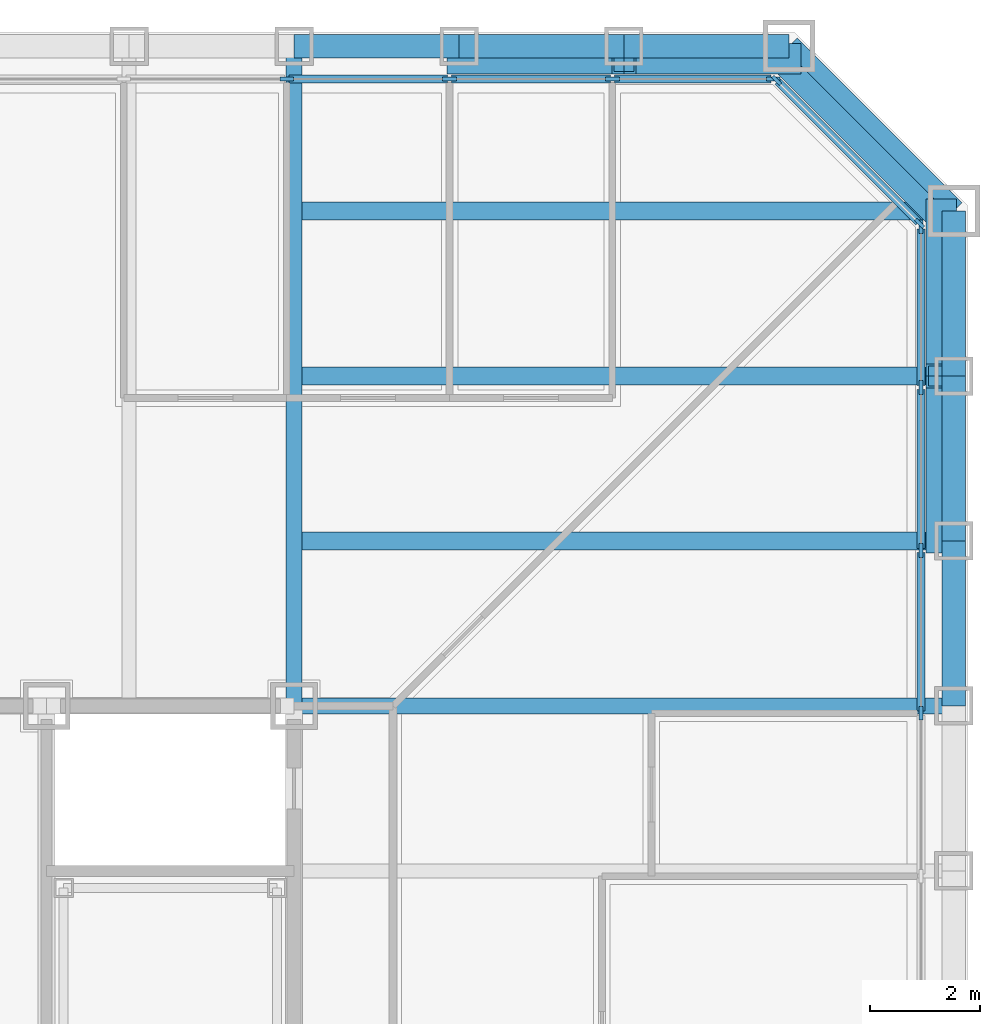
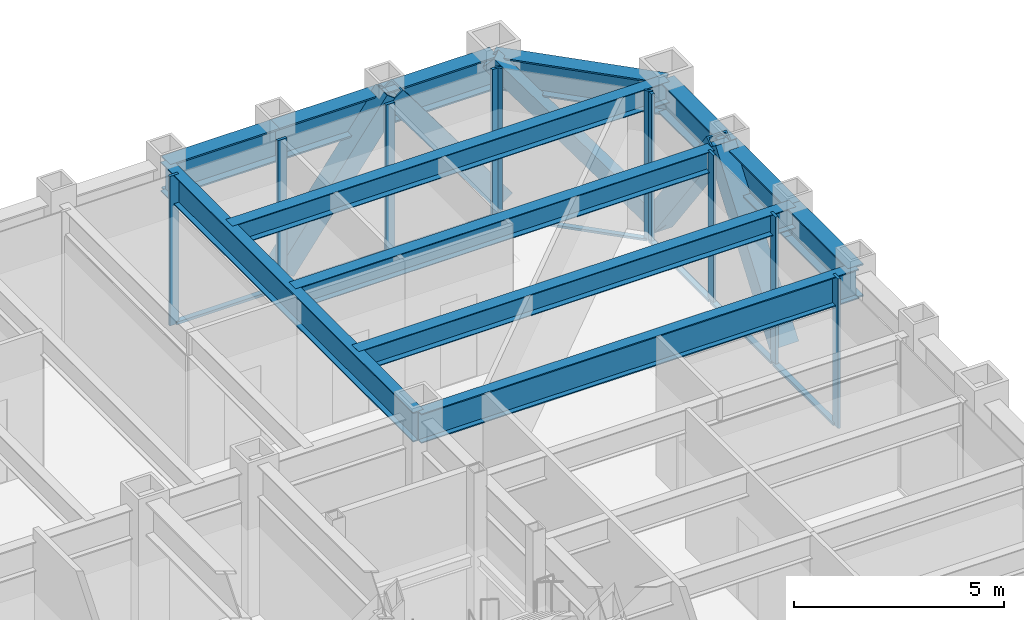
# One storey, part 6 of 17: 22 members, 12 beams, 3 elements without a shape of their own.
"""IFC4 building model written with IfcOpenShell, lengths in metres."""

from ifc_helpers import new_model, si_unit, direction, frame, origin, origin_2d, place, context, subcontext, project, spatial, rectangle, hollow_rectangle, i_section, extrude, material, layer, layer_set, material_profile, profile_set, type_object, element, aggregate, save


model = new_model("IFC4")

# Units and contexts
model_context = context("Model", 3, precision=1e-05, world=origin(), true_north=direction((0.0, 1.0)))
body_context = subcontext(model_context, "Body", "Model", "MODEL_VIEW")
ifc_project = project(units=[si_unit("LENGTHUNIT", "METRE"), si_unit("AREAUNIT", "SQUARE_METRE"), si_unit("VOLUMEUNIT", "CUBIC_METRE"), si_unit("PLANEANGLEUNIT", "RADIAN"), si_unit("MASSUNIT", "GRAM", prefix="KILO")], contexts=[model_context])

# Site, building, storey
site_placement = place(None, origin())
site = spatial("IfcSite", under=ifc_project, at=site_placement, CompositionType="ELEMENT")
building_placement = place(site_placement, origin())
building = spatial("IfcBuilding", under=site, at=building_placement, Name="Chuquiago Exchange Tower", CompositionType="ELEMENT")
storey_placement = place(building_placement, frame((0.0, 0.0, 42.300048828125)))
storey = spatial("IfcBuildingStorey", under=building, at=storey_placement, Name="L08", CompositionType="ELEMENT", Elevation=42.300048828125)

# Beams
ifc_material_1 = material(Name="Steel ASTM A992", Category="steel")
ifc_material_profile_1 = material_profile(ifc_material_1, i_section(OverallWidth=0.3251953125, OverallDepth=0.6171875, WebThickness=0.013916015625, FlangeThickness=0.021484375, at=origin_2d()), Name="W24X117")
ifc_profile_set_1 = profile_set([ifc_material_profile_1], Name="Steel ASTM A992")
beam_type_1 = type_object("IfcBeamType", Name="B5 W24X117", PredefinedType="BEAM", material=ifc_profile_set_1)
for number, where, z_axis, x_axis, name in (
    (1, (33.0, 36.0, 3.7314453125), (1.0, 0.0, 0.0), (0.0, 1.0, 0.0), "FB-L09-corner-33_36-45_36-0"),
    (2, (33.0, 39.0, 3.7314453125), (1.0, 0.0, 0.0), (0.0, 1.0, 0.0), "FB-L09-corner-33_39-45_39-0"),
    (3, (33.0, 42.0, 3.7314453125), (1.0, 0.0, 0.0), (0.0, 1.0, 0.0), "FB-L09-corner-33_42-45_42-0"),
):
    element("IfcBeam", number, at=place(storey_placement, frame(where, z_axis=z_axis, x_axis=x_axis)), inside=storey, type_object=beam_type_1, Name=name, PredefinedType="BEAM", context=body_context, shape_type="SweptSolid", body=[
        extrude(i_section(OverallWidth=0.3251953125, OverallDepth=0.6171875, WebThickness=0.013916015625, FlangeThickness=0.021484375, at=origin_2d()), origin(), (0.0, 0.0, 1.0), 12.0),
    ])

# Curtain wall, members
ifc_material_2 = material(Name="Aluminium curtain wall system", Category="aluminium")
ifc_layer_1 = layer(ifc_material_2, 0.25)
ifc_layer_set_1 = layer_set([ifc_layer_1], Name="CW1 trading floor curtain wall")
curtain_wall_type_1 = type_object("IfcCurtainWallType", Name="CW1 trading floor curtain wall", PredefinedType="NOTDEFINED", material=ifc_layer_set_1)
curtain_wall_1_placement = place(storey_placement, origin())
curtain_wall_1 = element("IfcCurtainWall", 4, at=curtain_wall_1_placement, inside=storey, type_object=curtain_wall_type_1, Name="CW1 curtain wall L08", PredefinedType="NOTDEFINED")
ifc_material_3 = material(Name="Aluminium mullion, pale anodised", Category="aluminium")
ifc_material_profile_2 = material_profile(ifc_material_3, rectangle(XDim=0.074951171875, YDim=0.25, at=origin_2d()), Name="AL 75x250")
ifc_profile_set_2 = profile_set([ifc_material_profile_2], Name="Aluminium mullion, pale anodised")
member_type_1 = type_object("IfcMemberType", Name="CW1-M mullion 75x250", PredefinedType="MULLION", material=ifc_profile_set_2)
member_1_placement = place(storey_placement, frame((44.39990234375, 32.8662109375, -0.300048828125), z_axis=(0.0, 0.0, 1.0), x_axis=(-1.0, 0.0, 0.0)))
member_1 = element("IfcMember", 5, at=member_1_placement, type_object=member_type_1, Name="CW1 mullion 11", PredefinedType="MULLION", context=body_context, shape_type="SweptSolid", body=[
    extrude(rectangle(XDim=0.074951171875, YDim=0.25, at=origin_2d()), origin(), (0.0, 0.0, 1.0), 4.340087890625),
])
member_2_placement = place(storey_placement, frame((44.39990234375, 35.827880859375, -0.300048828125), z_axis=(0.0, 0.0, 1.0), x_axis=(-1.0, 0.0, 0.0)))
member_2 = element("IfcMember", 6, at=member_2_placement, type_object=member_type_1, Name="CW1 mullion 12", PredefinedType="MULLION", context=body_context, shape_type="SweptSolid", body=[
    extrude(rectangle(XDim=0.074951171875, YDim=0.25, at=origin_2d()), origin(), (0.0, 0.0, 1.0), 4.340087890625),
])
member_3_placement = place(storey_placement, frame((44.39990234375, 38.789794921875, -0.300048828125), z_axis=(0.0, 0.0, 1.0), x_axis=(-1.0, 0.0, 0.0)))
member_3 = element("IfcMember", 7, at=member_3_placement, type_object=member_type_1, Name="CW1 mullion 13", PredefinedType="MULLION", context=body_context, shape_type="SweptSolid", body=[
    extrude(rectangle(XDim=0.074951171875, YDim=0.25, at=origin_2d()), origin(), (0.0, 0.0, 1.0), 4.340087890625),
])
member_4_placement = place(storey_placement, frame((44.39990234375, 41.714111328125, -0.300048828125), z_axis=(0.0, 0.0, 1.0), x_axis=(-1.0, 0.0, 0.0)))
member_4 = element("IfcMember", 8, at=member_4_placement, type_object=member_type_1, Name="CW1 mullion 14", PredefinedType="MULLION", context=body_context, shape_type="SweptSolid", body=[
    extrude(rectangle(XDim=0.074951171875, YDim=0.25, at=origin_2d()), origin(), (0.0, 0.0, 1.0), 4.340087890625),
])

curtain_wall_2_placement = place(storey_placement, origin())
curtain_wall_2 = element("IfcCurtainWall", 9, at=curtain_wall_2_placement, inside=storey, type_object=curtain_wall_type_1, Name="CW1 curtain wall L08", PredefinedType="NOTDEFINED")
member_5_placement = place(storey_placement, frame((41.714111328125, 44.39990234375, -0.300048828125), z_axis=(0.0, 0.0, 1.0), x_axis=(0.0, -1.0, 0.0)))
member_5 = element("IfcMember", 10, at=member_5_placement, type_object=member_type_1, Name="CW1 mullion 1", PredefinedType="MULLION", context=body_context, shape_type="SweptSolid", body=[
    extrude(rectangle(XDim=0.074951171875, YDim=0.25, at=origin_2d()), origin(), (0.0, 0.0, 1.0), 4.340087890625),
])
member_6_placement = place(storey_placement, frame((38.789794921875, 44.39990234375, -0.300048828125), z_axis=(0.0, 0.0, 1.0), x_axis=(0.0, -1.0, 0.0)))
member_6 = element("IfcMember", 11, at=member_6_placement, type_object=member_type_1, Name="CW1 mullion 2", PredefinedType="MULLION", context=body_context, shape_type="SweptSolid", body=[
    extrude(rectangle(XDim=0.074951171875, YDim=0.25, at=origin_2d()), origin(), (0.0, 0.0, 1.0), 4.340087890625),
])
member_7_placement = place(storey_placement, frame((35.827880859375, 44.39990234375, -0.300048828125), z_axis=(0.0, 0.0, 1.0), x_axis=(0.0, -1.0, 0.0)))
member_7 = element("IfcMember", 12, at=member_7_placement, type_object=member_type_1, Name="CW1 mullion 3", PredefinedType="MULLION", context=body_context, shape_type="SweptSolid", body=[
    extrude(rectangle(XDim=0.074951171875, YDim=0.25, at=origin_2d()), origin(), (0.0, 0.0, 1.0), 4.340087890625),
])
member_8_placement = place(storey_placement, frame((32.8662109375, 44.39990234375, -0.300048828125), z_axis=(0.0, 0.0, 1.0), x_axis=(0.0, -1.0, 0.0)))
member_8 = element("IfcMember", 13, at=member_8_placement, type_object=member_type_1, Name="CW1 mullion 4", PredefinedType="MULLION", context=body_context, shape_type="SweptSolid", body=[
    extrude(rectangle(XDim=0.074951171875, YDim=0.25, at=origin_2d()), origin(), (0.0, 0.0, 1.0), 4.340087890625),
])

# Member
ifc_material_4 = material(Name="Aluminium transom, pale anodised", Category="aluminium")
ifc_material_profile_3 = material_profile(ifc_material_4, rectangle(XDim=0.14990234375, YDim=0.074951171875, at=origin_2d()), Name="AL 150x75")
ifc_profile_set_3 = profile_set([ifc_material_profile_3], Name="Aluminium transom, pale anodised")
member_type_2 = type_object("IfcMemberType", Name="CW1-T transom 75x150", PredefinedType="MULLION", material=ifc_profile_set_3)
member_9_placement = place(storey_placement, frame((44.39990234375, 32.90380859375, -0.262451171875), z_axis=(0.0, 1.0, 0.0), x_axis=(-1.0, 0.0, 0.0)))
member_9 = element("IfcMember", 14, at=member_9_placement, type_object=member_type_2, Name="CW1 transom 11.1", PredefinedType="MULLION", context=body_context, shape_type="SweptSolid", body=[
    extrude(rectangle(XDim=0.14990234375, YDim=0.074951171875, at=origin_2d()), origin(), (0.0, 0.0, 1.0), 2.88671875),
])

member_10_placement = place(storey_placement, frame((44.39990234375, 35.865478515625, -0.262451171875), z_axis=(0.0, 1.0, 0.0), x_axis=(-1.0, 0.0, 0.0)))
member_10 = element("IfcMember", 15, at=member_10_placement, type_object=member_type_2, Name="CW1 transom 12.1", PredefinedType="MULLION", context=body_context, shape_type="SweptSolid", body=[
    extrude(rectangle(XDim=0.14990234375, YDim=0.074951171875, at=origin_2d()), origin(), (0.0, 0.0, 1.0), 2.88671875),
])

member_11_placement = place(storey_placement, frame((44.39990234375, 38.8271484375, -0.262451171875), z_axis=(0.0, 1.0, 0.0), x_axis=(-1.0, 0.0, 0.0)))
member_11 = element("IfcMember", 16, at=member_11_placement, type_object=member_type_2, Name="CW1 transom 13.1", PredefinedType="MULLION", context=body_context, shape_type="SweptSolid", body=[
    extrude(rectangle(XDim=0.14990234375, YDim=0.074951171875, at=origin_2d()), origin(), (0.0, 0.0, 1.0), 2.849365234375),
])

aggregate(curtain_wall_1, [member_1, member_2, member_3, member_4, member_9, member_10, member_11])

member_12_placement = place(storey_placement, frame((41.676513671875, 44.39990234375, -0.262451171875), z_axis=(-1.0, 0.0, 0.0), x_axis=(0.0, -1.0, 0.0)))
member_12 = element("IfcMember", 17, at=member_12_placement, type_object=member_type_2, Name="CW1 transom 1.1", PredefinedType="MULLION", context=body_context, shape_type="SweptSolid", body=[
    extrude(rectangle(XDim=0.14990234375, YDim=0.074951171875, at=origin_2d()), origin(), (0.0, 0.0, 1.0), 2.849365234375),
])

member_13_placement = place(storey_placement, frame((38.752197265625, 44.39990234375, -0.262451171875), z_axis=(-1.0, 0.0, 0.0), x_axis=(0.0, -1.0, 0.0)))
member_13 = element("IfcMember", 18, at=member_13_placement, type_object=member_type_2, Name="CW1 transom 2.1", PredefinedType="MULLION", context=body_context, shape_type="SweptSolid", body=[
    extrude(rectangle(XDim=0.14990234375, YDim=0.074951171875, at=origin_2d()), origin(), (0.0, 0.0, 1.0), 2.88671875),
])

member_14_placement = place(storey_placement, frame((35.79052734375, 44.39990234375, -0.262451171875), z_axis=(-1.0, 0.0, 0.0), x_axis=(0.0, -1.0, 0.0)))
member_14 = element("IfcMember", 19, at=member_14_placement, type_object=member_type_2, Name="CW1 transom 3.1", PredefinedType="MULLION", context=body_context, shape_type="SweptSolid", body=[
    extrude(rectangle(XDim=0.14990234375, YDim=0.074951171875, at=origin_2d()), origin(), (0.0, 0.0, 1.0), 2.88671875),
])

aggregate(curtain_wall_2, [member_5, member_6, member_7, member_8, member_12, member_13, member_14])

# Curtain wall, members
ifc_material_5 = material(Name="Aluminium curtain wall system", Category="aluminium")
ifc_layer_2 = layer(ifc_material_5, 0.199951171875)
ifc_layer_set_2 = layer_set([ifc_layer_2], Name="CW3 facet curtain wall")
curtain_wall_type_2 = type_object("IfcCurtainWallType", Name="CW3 facet curtain wall", PredefinedType="NOTDEFINED", material=ifc_layer_set_2)
curtain_wall_3_placement = place(storey_placement, origin())
curtain_wall_3 = element("IfcCurtainWall", 20, at=curtain_wall_3_placement, inside=storey, type_object=curtain_wall_type_2, Name="CW3 curtain wall L08", PredefinedType="NOTDEFINED")
ifc_material_6 = material(Name="Aluminium mullion, pale anodised", Category="aluminium")
ifc_material_profile_4 = material_profile(ifc_material_6, rectangle(XDim=0.06494140625, YDim=0.199951171875, at=origin_2d()), Name="AL 65x200")
ifc_profile_set_4 = profile_set([ifc_material_profile_4], Name="Aluminium mullion, pale anodised")
member_type_3 = type_object("IfcMemberType", Name="CW3-M mullion 65x200", PredefinedType="MULLION", material=ifc_profile_set_4)
member_15_placement = place(storey_placement, frame((44.376953125, 41.7744140625, -0.300048828125), z_axis=(0.0, 0.0, 1.0), x_axis=(-0.707106781187, -0.707106781187, 0.0)))
member_15 = element("IfcMember", 21, at=member_15_placement, type_object=member_type_3, Name="CW3 mullion 1", PredefinedType="MULLION", context=body_context, shape_type="SweptSolid", body=[
    extrude(rectangle(XDim=0.06494140625, YDim=0.199951171875, at=origin_2d()), origin(), (0.0, 0.0, 1.0), 4.340087890625),
])
member_16_placement = place(storey_placement, frame((41.7744140625, 44.376953125, -0.300048828125), z_axis=(0.0, 0.0, 1.0), x_axis=(-0.707106781187, -0.707106781187, 0.0)))
member_16 = element("IfcMember", 22, at=member_16_placement, type_object=member_type_3, Name="CW3 mullion 2", PredefinedType="MULLION", context=body_context, shape_type="SweptSolid", body=[
    extrude(rectangle(XDim=0.06494140625, YDim=0.199951171875, at=origin_2d()), origin(), (0.0, 0.0, 1.0), 4.340087890625),
])
ifc_material_7 = material(Name="Aluminium transom, pale anodised", Category="aluminium")
ifc_material_profile_5 = material_profile(ifc_material_7, rectangle(XDim=0.139892578125, YDim=0.06494140625, at=origin_2d()), Name="AL 140x65")
ifc_profile_set_5 = profile_set([ifc_material_profile_5], Name="Aluminium transom, pale anodised")
member_type_4 = type_object("IfcMemberType", Name="CW3-T transom 65x140", PredefinedType="MULLION", material=ifc_profile_set_5)
member_17_placement = place(storey_placement, frame((44.35400390625, 41.79736328125, -0.267578125), z_axis=(-0.707106781187, 0.707106781187, 0.0), x_axis=(-0.707106781187, -0.707106781187, 0.0)))
member_17 = element("IfcMember", 23, at=member_17_placement, type_object=member_type_4, Name="CW3 transom 1.1", PredefinedType="MULLION", context=body_context, shape_type="SweptSolid", body=[
    extrude(rectangle(XDim=0.139892578125, YDim=0.06494140625, at=origin_2d()), origin(), (0.0, 0.0, 1.0), 3.61572265625),
])
aggregate(curtain_wall_3, [member_15, member_16, member_17])

# Beams
ifc_material_8 = material(Name="Steel ASTM A992", Category="steel")
ifc_material_profile_6 = material_profile(ifc_material_8, i_section(OverallWidth=0.2919921875, OverallDepth=0.8583984375, WebThickness=0.01708984375, FlangeThickness=0.031005859375, at=origin_2d()), Name="W33X169")
ifc_profile_set_6 = profile_set([ifc_material_profile_6], Name="Steel ASTM A992")
beam_type_2 = type_object("IfcBeamType", Name="G2 W33X169", PredefinedType="BEAM", material=ifc_profile_set_6)
for number, where, z_axis, x_axis, name in (
    (24, (33.0, 33.0, 3.610595703125), (0.0, 1.0, 0.0), (-1.0, 0.0, 0.0), "FB-L09-girder-33_33-33_45-0"),
    (25, (33.0, 33.0, 3.610595703125), (1.0, 0.0, 0.0), (0.0, 1.0, 0.0), "FB-L09-girder-33_33-45_33-0"),
):
    element("IfcBeam", number, at=place(storey_placement, frame(where, z_axis=z_axis, x_axis=x_axis)), inside=storey, type_object=beam_type_2, Name=name, PredefinedType="BEAM", context=body_context, shape_type="SweptSolid", body=[
        extrude(i_section(OverallWidth=0.2919921875, OverallDepth=0.8583984375, WebThickness=0.01708984375, FlangeThickness=0.031005859375, at=origin_2d()), origin(), (0.0, 0.0, 1.0), 12.0),
    ])

# Members
ifc_material_9 = material(Name="Steel ASTM A500 Grade C", Category="steel")
ifc_material_profile_7 = material_profile(ifc_material_9, hollow_rectangle(XDim=0.406494140625, YDim=0.406494140625, WallThickness=0.0146484375, at=origin_2d()), Name="HSS16X16X5/8")
ifc_profile_set_7 = profile_set([ifc_material_profile_7], Name="Steel ASTM A500 Grade C")
member_type_5 = type_object("IfcMemberType", Name="LB4 HSS16X16X5/8", PredefinedType="BRACE", material=ifc_profile_set_7)
member_18_placement = place(storey_placement, frame((44.78662109375, 41.78662109375, 0.0), z_axis=(-0.512077265487, 0.512077265487, 0.689604051861), x_axis=(-0.707106781187, -0.707106781187, 0.0)))
element("IfcMember", 26, at=member_18_placement, inside=storey, type_object=member_type_5, Name="LB-L08-45_42-42_45", PredefinedType="BRACE", context=body_context, shape_type="SweptSolid", body=[
    extrude(hollow_rectangle(XDim=0.406494140625, YDim=0.406494140625, WallThickness=0.0146484375, at=origin_2d()), origin(), (0.0, 0.0, 1.0), 5.8583984375),
])
ifc_material_10 = material(Name="Steel ASTM A572 Grade 50", Category="steel")
ifc_material_profile_8 = material_profile(ifc_material_10, hollow_rectangle(XDim=0.550048828125, YDim=0.550048828125, WallThickness=0.044921875, at=origin_2d()), Name="BOX550X550X45")
ifc_profile_set_8 = profile_set([ifc_material_profile_8], Name="Steel ASTM A572 Grade 50")
member_type_6 = type_object("IfcMemberType", Name="MB1 BOX550X550X45", PredefinedType="BRACE", material=ifc_profile_set_8)
for number, where, z_axis, x_axis, name in (
    (27, (44.77001953125, 36.0, 0.0), (0.0, 0.596173923302, 0.802855312728), (-1.0, 0.0, 0.0), "Mega diagonal L08 E face"),
    (28, (44.77001953125, 42.0, 0.0), (0.0, -0.596173923302, 0.802855312728), (1.0, 0.0, 0.0), "Mega diagonal L08 E face"),
    (29, (42.0, 44.77001953125, 0.0), (-0.596173923302, 0.0, 0.802855312728), (0.0, -1.0, 0.0), "Mega diagonal L08 N face"),
    (30, (36.0, 44.77001953125, 0.0), (0.596173923302, 0.0, 0.802855312728), (0.0, 1.0, 0.0), "Mega diagonal L08 N face"),
):
    element("IfcMember", number, at=place(storey_placement, frame(where, z_axis=z_axis, x_axis=x_axis)), inside=storey, type_object=member_type_6, Name=name, PredefinedType="BRACE", context=body_context, shape_type="SweptSolid", body=[
        extrude(hollow_rectangle(XDim=0.550048828125, YDim=0.550048828125, WallThickness=0.044921875, at=origin_2d()), origin(), (0.0, 0.0, 1.0), 5.031982421875),
    ])

# Beams
ifc_material_11 = material(Name="Steel ASTM A992", Category="steel")
ifc_material_profile_9 = material_profile(ifc_material_11, i_section(OverallWidth=0.424072265625, OverallDepth=0.947509765625, WebThickness=0.02392578125, FlangeThickness=0.042724609375, at=origin_2d()), Name="W36X302")
ifc_profile_set_9 = profile_set([ifc_material_profile_9], Name="Steel ASTM A992")
beam_type_3 = type_object("IfcBeamType", Name="SP1 W36X302", PredefinedType="SPANDREL", material=ifc_profile_set_9)
for number, where, z_axis, x_axis, name in (
    (31, (45.0, 33.0, 3.566162109375), (0.0, 1.0, 0.0), (-1.0, 0.0, 0.0), "SPB-L09-45_33-45_36"),
    (32, (45.0, 36.0, 3.566162109375), (0.0, 1.0, 0.0), (-1.0, 0.0, 0.0), "SPB-L09-45_36-45_39"),
    (33, (45.0, 39.0, 3.566162109375), (0.0, 1.0, 0.0), (-1.0, 0.0, 0.0), "SPB-L09-45_39-45_42"),
):
    element("IfcBeam", number, at=place(storey_placement, frame(where, z_axis=z_axis, x_axis=x_axis)), inside=storey, type_object=beam_type_3, Name=name, PredefinedType="SPANDREL", context=body_context, shape_type="SweptSolid", body=[
        extrude(i_section(OverallWidth=0.424072265625, OverallDepth=0.947509765625, WebThickness=0.02392578125, FlangeThickness=0.042724609375, at=origin_2d()), origin(), (0.0, 0.0, 1.0), 3.0),
    ])
beam_placement = place(storey_placement, frame((45.0, 42.0, 3.566162109375), z_axis=(-0.707106781187, 0.707106781187, 0.0), x_axis=(-0.707106781187, -0.707106781187, 0.0)))
element("IfcBeam", 34, at=beam_placement, inside=storey, type_object=beam_type_3, Name="SPB-L09-45_42-42_45", PredefinedType="SPANDREL", context=body_context, shape_type="SweptSolid", body=[
    extrude(i_section(OverallWidth=0.424072265625, OverallDepth=0.947509765625, WebThickness=0.02392578125, FlangeThickness=0.042724609375, at=origin_2d()), origin(), (0.0, 0.0, 1.0), 4.24267578125),
])
for number, where, z_axis, x_axis, name in (
    (35, (42.0, 45.0, 3.566162109375), (-1.0, 0.0, 0.0), (0.0, -1.0, 0.0), "SPB-L09-42_45-39_45"),
    (36, (39.0, 45.0, 3.566162109375), (-1.0, 0.0, 0.0), (0.0, -1.0, 0.0), "SPB-L09-39_45-36_45"),
    (37, (36.0, 45.0, 3.566162109375), (-1.0, 0.0, 0.0), (0.0, -1.0, 0.0), "SPB-L09-36_45-33_45"),
):
    element("IfcBeam", number, at=place(storey_placement, frame(where, z_axis=z_axis, x_axis=x_axis)), inside=storey, type_object=beam_type_3, Name=name, PredefinedType="SPANDREL", context=body_context, shape_type="SweptSolid", body=[
        extrude(i_section(OverallWidth=0.424072265625, OverallDepth=0.947509765625, WebThickness=0.02392578125, FlangeThickness=0.042724609375, at=origin_2d()), origin(), (0.0, 0.0, 1.0), 3.0),
    ])

save(model, "model.ifc")
